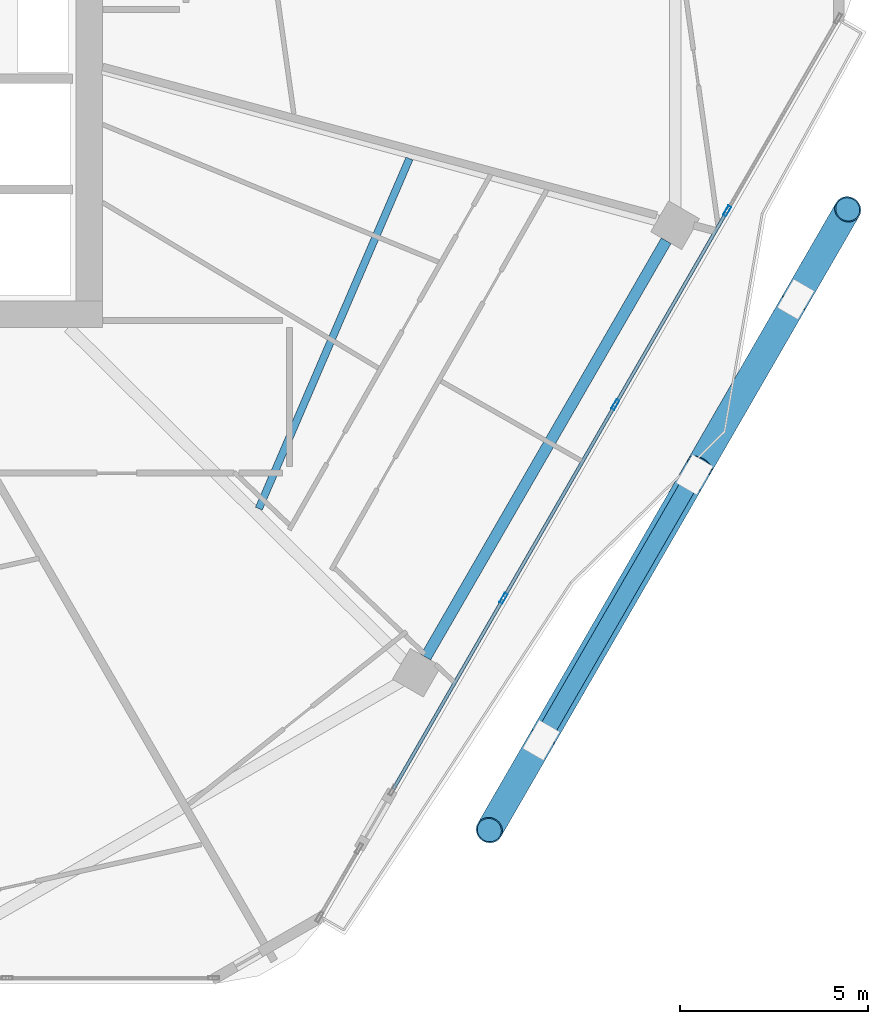
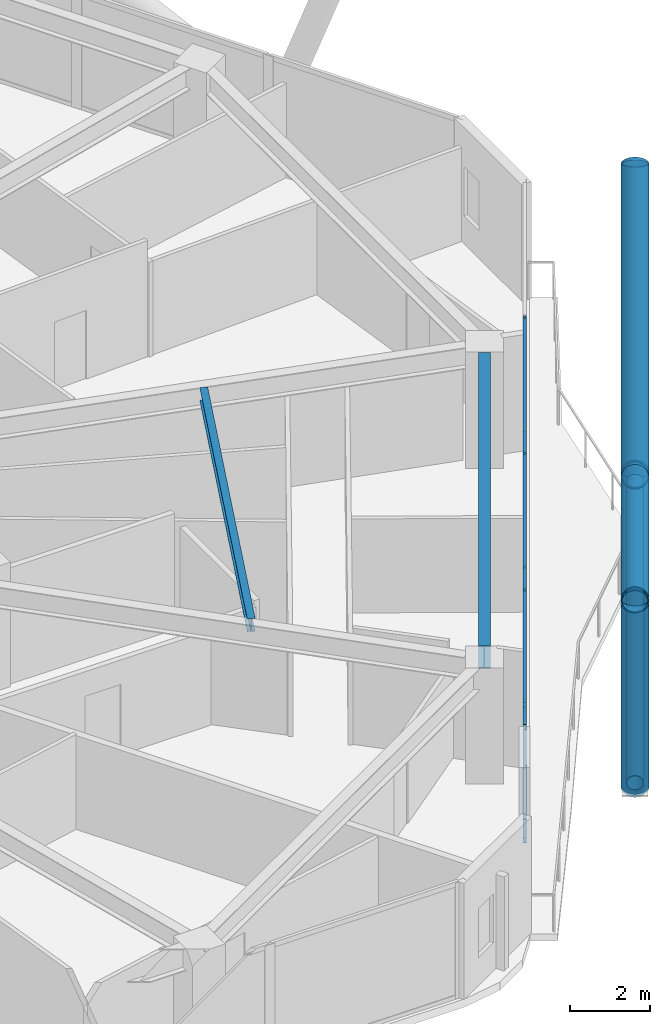
# One storey, part 8 of 28: 15 members, 2 beams, 1 element without a shape of its own.
"""IFC4 building model written with IfcOpenShell, lengths in metres."""

from ifc_helpers import new_model, si_unit, direction, frame, origin, origin_2d, place, context, subcontext, project, spatial, hollow_rectangle, hollow_circle, i_section, extrude, material, material_profile, profile_set, type_object, element, aggregate, save


model = new_model("IFC4")

# Units and contexts
model_context = context("Model", 3, precision=1e-05, world=origin(), true_north=direction((0.0, 1.0)))
body_context = subcontext(model_context, "Body", "Model", "MODEL_VIEW")
ifc_project = project(units=[si_unit("LENGTHUNIT", "METRE"), si_unit("AREAUNIT", "SQUARE_METRE"), si_unit("VOLUMEUNIT", "CUBIC_METRE"), si_unit("PLANEANGLEUNIT", "RADIAN"), si_unit("MASSUNIT", "GRAM", prefix="KILO")], contexts=[model_context])

# Site, building, storey
site_placement = place(None, origin())
site = spatial("IfcSite", under=ifc_project, at=site_placement, CompositionType="ELEMENT")
building_placement = place(site_placement, origin())
building = spatial("IfcBuilding", under=site, at=building_placement, Name="Zuhravey Tower", CompositionType="ELEMENT")
storey_placement = place(building_placement, frame((0.0, 0.0, 199.800048828125)))
storey = spatial("IfcBuildingStorey", under=building, at=storey_placement, Name="L50", CompositionType="ELEMENT", Elevation=199.800048828125)

# Curtain wall, members
ifc_material_1 = material(Name="Thermally broken anodised aluminium", Category="aluminium")
curtain_wall_type = type_object("IfcCurtainWallType", Name="Zone 1-2 Residential Curtain Wall CW3", PredefinedType="NOTDEFINED", material=ifc_material_1)
curtain_wall_placement = place(storey_placement, origin())
curtain_wall = element("IfcCurtainWall", 1, at=curtain_wall_placement, inside=storey, type_object=curtain_wall_type, Name="L50 CW3 CW-L50-F6-1", PredefinedType="NOTDEFINED")
ifc_material_2 = material(Name="Anodised aluminium", Category="aluminium")
ifc_material_profile_1 = material_profile(ifc_material_2, hollow_rectangle(XDim=0.090087890625, YDim=0.284912109375, WallThickness=0.0048828125, at=origin_2d()), Name="ALU-RHS-90x285x5")
ifc_profile_set_1 = profile_set([ifc_material_profile_1], Name="Anodised aluminium")
member_type_1 = type_object("IfcMemberType", Name="Curtain-Wall Mullion 90x180", PredefinedType="MULLION", material=ifc_profile_set_1)
member_1_placement = place(storey_placement, frame((63.493408203125, 25.25390625, 0.0), z_axis=(0.0, 0.0, 1.0), x_axis=(0.866025255938, -0.500000256078, 0.0)))
member_1 = element("IfcMember", 2, at=member_1_placement, type_object=member_type_1, Name="CW3 mullion 2", PredefinedType="MULLION", context=body_context, shape_type="SweptSolid", body=[
    extrude(hollow_rectangle(XDim=0.090087890625, YDim=0.284912109375, WallThickness=0.0048828125, at=origin_2d()), origin(), (0.0, 0.0, 1.0), 3.550048828125),
])
member_2_placement = place(storey_placement, frame((60.51513671875, 20.09521484375, 0.0), z_axis=(0.0, 0.0, 1.0), x_axis=(0.866025255938, -0.500000256078, 0.0)))
member_2 = element("IfcMember", 3, at=member_2_placement, type_object=member_type_1, Name="CW3 mullion 3", PredefinedType="MULLION", context=body_context, shape_type="SweptSolid", body=[
    extrude(hollow_rectangle(XDim=0.090087890625, YDim=0.284912109375, WallThickness=0.0048828125, at=origin_2d()), origin(), (0.0, 0.0, 1.0), 3.550048828125),
])
member_3_placement = place(storey_placement, frame((57.536865234375, 14.9365234375, 0.0), z_axis=(0.0, 0.0, 1.0), x_axis=(0.866025255938, -0.500000256078, 0.0)))
member_3 = element("IfcMember", 4, at=member_3_placement, type_object=member_type_1, Name="CW3 mullion 4", PredefinedType="MULLION", context=body_context, shape_type="SweptSolid", body=[
    extrude(hollow_rectangle(XDim=0.090087890625, YDim=0.284912109375, WallThickness=0.0048828125, at=origin_2d()), origin(), (0.0, 0.0, 1.0), 3.550048828125),
])
ifc_material_profile_2 = material_profile(ifc_material_2, hollow_rectangle(XDim=0.090087890625, YDim=0.14990234375, WallThickness=0.0048828125, at=origin_2d()), Name="ALU-RHS-90x150x5")
ifc_profile_set_2 = profile_set([ifc_material_profile_2], Name="Anodised aluminium")
member_type_2 = type_object("IfcMemberType", Name="Curtain-Wall Transom 90x150", PredefinedType="USERDEFINED", material=ifc_profile_set_2)
member_4_placement = place(storey_placement, frame((63.470947265625, 25.21484375, 0.044921875), z_axis=(-0.500010639957, -0.866019260715, 0.0), x_axis=(0.866019260715, -0.500010639957, 0.0)))
member_4 = element("IfcMember", 5, at=member_4_placement, type_object=member_type_2, Name="CW3 transom 2.1", ObjectType="TRANSOM", PredefinedType="USERDEFINED", context=body_context, shape_type="SweptSolid", body=[
    extrude(hollow_rectangle(XDim=0.090087890625, YDim=0.14990234375, WallThickness=0.0048828125, at=origin_2d()), origin(), (0.0, 0.0, 1.0), 5.866455078125),
])
member_5_placement = place(storey_placement, frame((63.470947265625, 25.21484375, 3.5048828125), z_axis=(-0.500010639957, -0.866019260715, 0.0), x_axis=(0.866019260715, -0.500010639957, 0.0)))
member_5 = element("IfcMember", 6, at=member_5_placement, type_object=member_type_2, Name="CW3 transom 2.2", ObjectType="TRANSOM", PredefinedType="USERDEFINED", context=body_context, shape_type="SweptSolid", body=[
    extrude(hollow_rectangle(XDim=0.090087890625, YDim=0.14990234375, WallThickness=0.0048828125, at=origin_2d()), origin(), (0.0, 0.0, 1.0), 5.866455078125),
])
member_6_placement = place(storey_placement, frame((60.49267578125, 20.05615234375, 0.044921875), z_axis=(-0.500010639957, -0.866019260715, 0.0), x_axis=(0.866019260715, -0.500010639957, 0.0)))
member_6 = element("IfcMember", 7, at=member_6_placement, type_object=member_type_2, Name="CW3 transom 3.1", ObjectType="TRANSOM", PredefinedType="USERDEFINED", context=body_context, shape_type="SweptSolid", body=[
    extrude(hollow_rectangle(XDim=0.090087890625, YDim=0.14990234375, WallThickness=0.0048828125, at=origin_2d()), origin(), (0.0, 0.0, 1.0), 5.866455078125),
])
member_7_placement = place(storey_placement, frame((60.49267578125, 20.05615234375, 3.5048828125), z_axis=(-0.500010639957, -0.866019260715, 0.0), x_axis=(0.866019260715, -0.500010639957, 0.0)))
member_7 = element("IfcMember", 8, at=member_7_placement, type_object=member_type_2, Name="CW3 transom 3.2", ObjectType="TRANSOM", PredefinedType="USERDEFINED", context=body_context, shape_type="SweptSolid", body=[
    extrude(hollow_rectangle(XDim=0.090087890625, YDim=0.14990234375, WallThickness=0.0048828125, at=origin_2d()), origin(), (0.0, 0.0, 1.0), 5.866455078125),
])
member_8_placement = place(storey_placement, frame((57.51416015625, 14.8974609375, 0.044921875), z_axis=(-0.499991096673, -0.866030544062, 0.0), x_axis=(0.866030544062, -0.499991096673, 0.0)))
member_8 = element("IfcMember", 9, at=member_8_placement, type_object=member_type_2, Name="CW3 transom 4.1", ObjectType="TRANSOM", PredefinedType="USERDEFINED", context=body_context, shape_type="SweptSolid", body=[
    extrude(hollow_rectangle(XDim=0.090087890625, YDim=0.14990234375, WallThickness=0.0048828125, at=origin_2d()), origin(), (0.0, 0.0, 1.0), 5.8212890625),
])
member_9_placement = place(storey_placement, frame((57.51416015625, 14.8974609375, 3.5048828125), z_axis=(-0.499991096673, -0.866030544062, 0.0), x_axis=(0.866030544062, -0.499991096673, 0.0)))
member_9 = element("IfcMember", 10, at=member_9_placement, type_object=member_type_2, Name="CW3 transom 4.2", ObjectType="TRANSOM", PredefinedType="USERDEFINED", context=body_context, shape_type="SweptSolid", body=[
    extrude(hollow_rectangle(XDim=0.090087890625, YDim=0.14990234375, WallThickness=0.0048828125, at=origin_2d()), origin(), (0.0, 0.0, 1.0), 5.8212890625),
])
aggregate(curtain_wall, [member_1, member_2, member_3, member_4, member_5, member_6, member_7, member_8, member_9])

# Members
ifc_material_3 = material(Name="Steel SM355", Category="steel")
ifc_material_profile_3 = material_profile(ifc_material_3, hollow_circle(Radius=0.228515625, WallThickness=0.02197265625, at=origin_2d()), Name="CHS-457.2x22")
ifc_profile_set_3 = profile_set([ifc_material_profile_3], Name="Steel SM355")
member_type_3 = type_object("IfcMemberType", Name="Exoskeleton Ring Tie CHS457x22", PredefinedType="CHORD", material=ifc_profile_set_3)
member_10_placement = place(storey_placement, frame((58.611083984375, 11.27734375, -0.464111328125), z_axis=(0.500004091344, 0.866023041633, 0.0), x_axis=(-0.866023041633, 0.500004091344, 0.0)))
element("IfcMember", 11, at=member_10_placement, inside=storey, type_object=member_type_3, Name="L50 Exoskeleton Face 6 Tie EXR1", PredefinedType="CHORD", context=body_context, shape_type="SweptSolid", body=[
    extrude(hollow_circle(Radius=0.228515625, WallThickness=0.02197265625, at=origin_2d()), origin(), (0.0, 0.0, 1.0), 13.28173828125),
])
ifc_material_4 = material(Name="Steel SM460", Category="steel")
ifc_material_profile_4 = material_profile(ifc_material_4, hollow_circle(Radius=0.355712890625, WallThickness=0.031982421875, at=origin_2d()), Name="CHS-711.2x32")
ifc_profile_set_4 = profile_set([ifc_material_profile_4], Name="Steel SM460")
member_type_4 = type_object("IfcMemberType", Name="Exoskeleton Zone 2 Diagrid CHS711x32", PredefinedType="BRACE", material=ifc_profile_set_4)
member_11_placement = place(storey_placement, frame((58.537353515625, 11.149658203125, -0.444091796875), z_axis=(-0.171428917165, -0.296929081792, 0.939385568734), x_axis=(0.866029404905, -0.499993069792, 0.0)))
element("IfcMember", 12, at=member_11_placement, inside=storey, type_object=member_type_4, Name="L50 Face 6 Diagrid Brace 1", PredefinedType="BRACE", context=body_context, shape_type="SweptSolid", body=[
    extrude(hollow_circle(Radius=0.355712890625, WallThickness=0.031982421875, at=origin_2d()), origin(), (0.0, 0.0, 1.0), 8.0478515625),
])
member_12_placement = place(storey_placement, frame((58.5625, 11.193115234375, -0.444091796875), z_axis=(0.453338388553, 0.785209877744, 0.421817203724), x_axis=(-0.866026715089, 0.499997728747, 0.0)))
element("IfcMember", 13, at=member_12_placement, inside=storey, type_object=member_type_4, Name="L50 Face 6 Diagrid Brace 2", PredefinedType="BRACE", context=body_context, shape_type="SweptSolid", body=[
    extrude(hollow_circle(Radius=0.355712890625, WallThickness=0.031982421875, at=origin_2d()), origin(), (0.0, 0.0, 1.0), 17.922607421875),
])
member_13_placement = place(storey_placement, frame((65.32568359375, 22.9072265625, -0.444091796875), z_axis=(0.171428917165, 0.296929081792, 0.939385568734), x_axis=(-0.866029404905, 0.499993069792, 0.0)))
element("IfcMember", 14, at=member_13_placement, inside=storey, type_object=member_type_4, Name="L50 Face 6 Diagrid Brace 4", PredefinedType="BRACE", context=body_context, shape_type="SweptSolid", body=[
    extrude(hollow_circle(Radius=0.355712890625, WallThickness=0.031982421875, at=origin_2d()), origin(), (0.0, 0.0, 1.0), 8.0478515625),
])
member_14_placement = place(storey_placement, frame((65.302734375, 22.867431640625, -0.436767578125), z_axis=(-0.408775424455, -0.70798015044, 0.575905164887), x_axis=(0.866013277291, -0.500021003115, 0.0)))
element("IfcMember", 15, at=member_14_placement, inside=storey, type_object=member_type_4, Name="L50 Face 6 Split Diagrid Brace 3A", PredefinedType="BRACE", context=body_context, shape_type="SweptSolid", body=[
    extrude(hollow_circle(Radius=0.355712890625, WallThickness=0.031982421875, at=origin_2d()), origin(), (0.0, 0.0, 1.0), 6.205322265625),
])
member_15_placement = place(storey_placement, frame((62.4619140625, 17.947021484375, 3.44921875), z_axis=(-0.472345150126, -0.818084346156, 0.32806716039), x_axis=(0.866014433275, -0.500019000998, 0.0)))
element("IfcMember", 16, at=member_15_placement, inside=storey, type_object=member_type_4, Name="L50 Face 6 Split Diagrid Brace 3B", PredefinedType="BRACE", context=body_context, shape_type="SweptSolid", body=[
    extrude(hollow_circle(Radius=0.355712890625, WallThickness=0.031982421875, at=origin_2d()), origin(), (0.0, 0.0, 1.0), 11.190185546875),
])

# Beams
ifc_material_profile_5 = material_profile(ifc_material_3, i_section(OverallWidth=0.300048828125, OverallDepth=0.679931640625, WebThickness=0.012939453125, FlangeThickness=0.02197265625, at=origin_2d()), Name="H-680x300x13x22")
ifc_profile_set_5 = profile_set([ifc_material_profile_5], Name="Steel SM355")
beam_type_1 = type_object("IfcBeamType", Name="Perimeter Ring Beam H680x300", PredefinedType="BEAM", material=ifc_profile_set_5)
beam_1_placement = place(storey_placement, frame((55.464599609375, 13.367431640625, 3.2099609375), z_axis=(0.500003505699, 0.866023379758, 0.0), x_axis=(-0.866023379758, 0.500003505699, 0.0)))
element("IfcBeam", 17, at=beam_1_placement, inside=storey, type_object=beam_type_1, Name="L50 PB2 BM-L50-PB-11", PredefinedType="BEAM", context=body_context, shape_type="SweptSolid", body=[
    extrude(i_section(OverallWidth=0.300048828125, OverallDepth=0.679931640625, WebThickness=0.012939453125, FlangeThickness=0.02197265625, at=origin_2d()), origin(), (0.0, 0.0, 1.0), 12.80810546875),
])
ifc_material_profile_6 = material_profile(ifc_material_3, i_section(OverallWidth=0.199951171875, OverallDepth=0.39990234375, WebThickness=0.008056640625, FlangeThickness=0.012939453125, at=origin_2d()), Name="H-400x200x8x13")
ifc_profile_set_6 = profile_set([ifc_material_profile_6], Name="Steel SM355")
beam_type_2 = type_object("IfcBeamType", Name="Secondary Floor Joist H400x200", PredefinedType="JOIST", material=ifc_profile_set_6)
beam_2_placement = place(storey_placement, frame((51.017578125, 17.323974609375, 3.349853515625), z_axis=(0.395265853487, 0.918566766799, 0.0), x_axis=(-0.918566766799, 0.395265853487, 0.0)))
element("IfcBeam", 18, at=beam_2_placement, inside=storey, type_object=beam_type_2, Name="L50 SJ2 BM-L50-SJ-11-1", PredefinedType="JOIST", context=body_context, shape_type="SweptSolid", body=[
    extrude(i_section(OverallWidth=0.199951171875, OverallDepth=0.39990234375, WebThickness=0.008056640625, FlangeThickness=0.012939453125, at=origin_2d()), origin(), (0.0, 0.0, 1.0), 10.150146484375),
])

save(model, "model.ifc")
